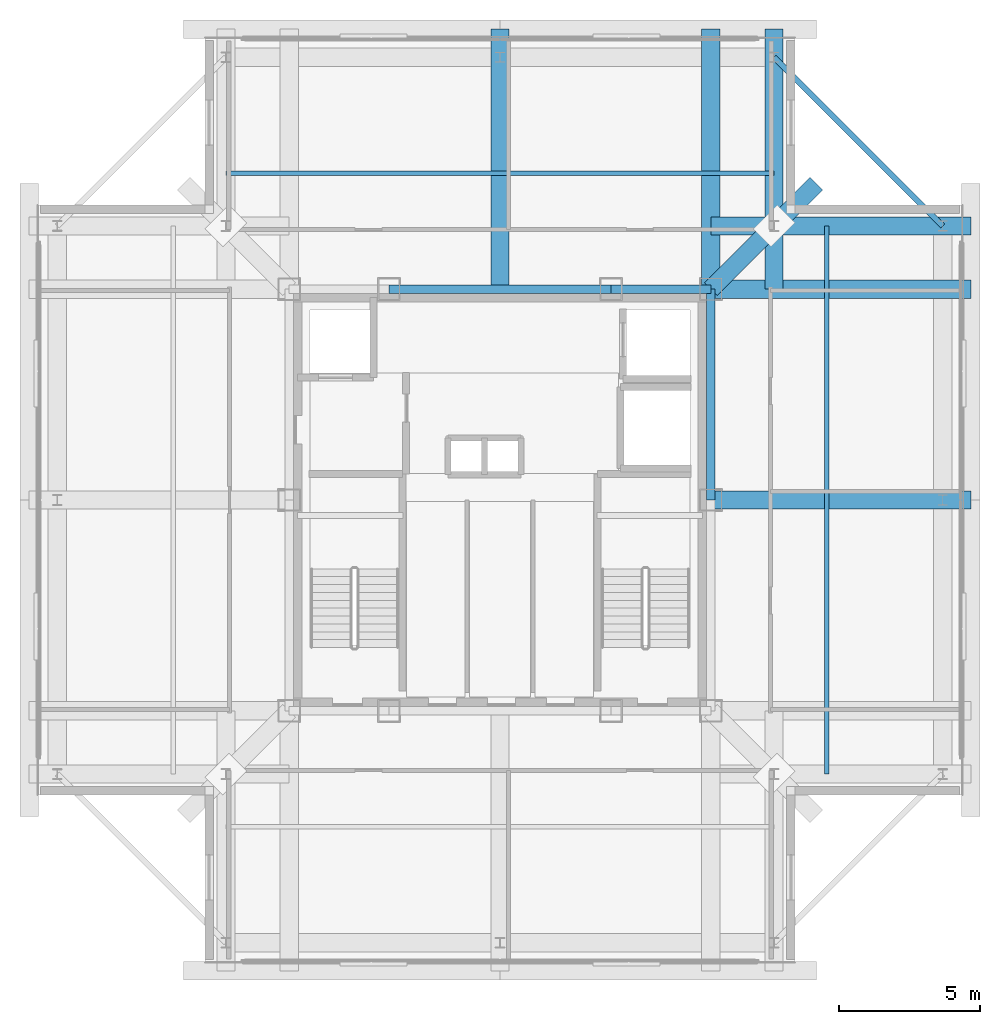
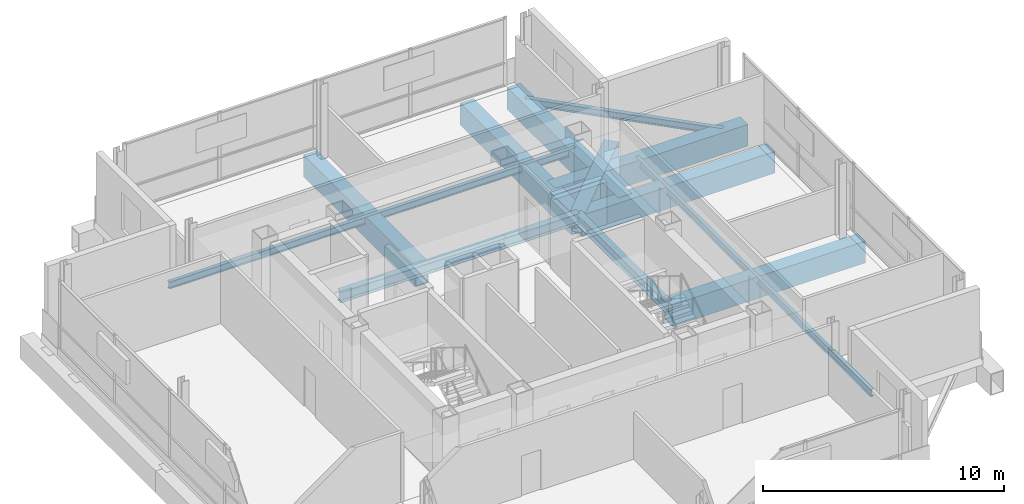
# One storey, part 5 of 12: 13 beams.
"""IFC4 building model written with IfcOpenShell, lengths in metres."""

from ifc_helpers import new_model, si_unit, direction, frame, origin, origin_2d, place, context, subcontext, project, spatial, hollow_rectangle, i_section, extrude, material, material_profile, profile_set, type_object, element, save


model = new_model("IFC4")

# Units and contexts
model_context = context("Model", 3, precision=1e-05, world=origin(), true_north=direction((0.0, 1.0)))
body_context = subcontext(model_context, "Body", "Model", "MODEL_VIEW")
ifc_project = project(units=[si_unit("LENGTHUNIT", "METRE"), si_unit("AREAUNIT", "SQUARE_METRE"), si_unit("VOLUMEUNIT", "CUBIC_METRE"), si_unit("PLANEANGLEUNIT", "RADIAN"), si_unit("MASSUNIT", "GRAM", prefix="KILO")], contexts=[model_context])

# Site, building, storey
site_placement = place(None, origin())
site = spatial("IfcSite", under=ifc_project, at=site_placement, CompositionType="ELEMENT")
building_placement = place(site_placement, origin())
building = spatial("IfcBuilding", under=site, at=building_placement, Name="Trevonay Congress Spire", CompositionType="ELEMENT")
storey_placement = place(building_placement, frame((0.0, 0.0, 308.39990234375)))
storey = spatial("IfcBuildingStorey", under=building, at=storey_placement, Name="L81", CompositionType="ELEMENT", Elevation=308.39990234375)

# Beams
ifc_material = material(Name="Steel ASTM A572 Grade 50", Category="steel")
ifc_material_profile_1 = material_profile(ifc_material, i_section(OverallWidth=0.31201171875, OverallDepth=0.54296875, WebThickness=0.0126953125, FlangeThickness=0.020263671875, FilletRadius=0.014892578125, at=origin_2d()), Name="W530x150")
ifc_profile_set_1 = profile_set([ifc_material_profile_1], Name="Steel ASTM A572 Grade 50")
beam_type_1 = type_object("IfcBeamType", Name="BM-GIRD-W530X150", PredefinedType="BEAM", material=ifc_profile_set_1)
beam_1_placement = place(storey_placement, frame((-3.949951171875, 7.5, -0.67138671875), z_axis=(1.0, 0.0, 0.0), x_axis=(0.0, 1.0, 0.0)))
element("IfcBeam", 1, at=beam_1_placement, inside=storey, type_object=beam_type_1, Name="L81 structural beam BM-L81-CR-N2", PredefinedType="BEAM", context=body_context, shape_type="SweptSolid", body=[
    extrude(i_section(OverallWidth=0.31201171875, OverallDepth=0.54296875, WebThickness=0.0126953125, FlangeThickness=0.020263671875, FilletRadius=0.014892578125, at=origin_2d()), origin(), (0.0, 0.0, 1.0), 7.89990234375),
])
beam_2_placement = place(storey_placement, frame((3.949951171875, 7.5, -0.67138671875), z_axis=(1.0, 0.0, 0.0), x_axis=(0.0, 1.0, 0.0)))
element("IfcBeam", 2, at=beam_2_placement, inside=storey, type_object=beam_type_1, Name="L81 structural beam BM-L81-CR-N3", PredefinedType="BEAM", context=body_context, shape_type="SweptSolid", body=[
    extrude(i_section(OverallWidth=0.31201171875, OverallDepth=0.54296875, WebThickness=0.0126953125, FlangeThickness=0.020263671875, FilletRadius=0.014892578125, at=origin_2d()), origin(), (0.0, 0.0, 1.0), 3.550048828125),
])
beam_3_placement = place(storey_placement, frame((7.5, 0.0, -0.67138671875), z_axis=(0.0, 1.0, 0.0), x_axis=(-1.0, 0.0, 0.0)))
element("IfcBeam", 3, at=beam_3_placement, inside=storey, type_object=beam_type_1, Name="L81 structural beam BM-L81-CR-E2", PredefinedType="BEAM", context=body_context, shape_type="SweptSolid", body=[
    extrude(i_section(OverallWidth=0.31201171875, OverallDepth=0.54296875, WebThickness=0.0126953125, FlangeThickness=0.020263671875, FilletRadius=0.014892578125, at=origin_2d()), origin(), (0.0, 0.0, 1.0), 7.5),
])
ifc_material_profile_2 = material_profile(ifc_material, hollow_rectangle(XDim=0.64990234375, YDim=1.10009765625, WallThickness=0.044921875, at=origin_2d()), Name="BOX 1100x650x45")
ifc_profile_set_2 = profile_set([ifc_material_profile_2], Name="Steel ASTM A572 Grade 50")
beam_type_2 = type_object("IfcBeamType", Name="BM-XFER-BOX1100", PredefinedType="BEAM", material=ifc_profile_set_2)
beam_4_placement = place(storey_placement, frame((7.5, 7.5, -0.949951171875), z_axis=(0.707106781187, 0.707106781187, 0.0), x_axis=(-0.707106781187, 0.707106781187, 0.0)))
element("IfcBeam", 4, at=beam_4_placement, inside=storey, type_object=beam_type_2, Name="L81 structural beam BM-L81-CDNE", PredefinedType="BEAM", context=body_context, shape_type="SweptSolid", body=[
    extrude(hollow_rectangle(XDim=0.64990234375, YDim=1.10009765625, WallThickness=0.044921875, at=origin_2d()), origin(), (0.0, 0.0, 1.0), 5.30322265625),
])
for number, where, z_axis, x_axis, name in (
    (5, (7.5, 7.5, -0.949951171875), (1.0, 0.0, 0.0), (0.0, 1.0, 0.0), "L81 structural beam XSPN-L81-CX-NE"),
    (6, (7.5, 7.5, -0.949951171875), (0.0, 1.0, 0.0), (-1.0, 0.0, 0.0), "L81 structural beam XSPN-L81-CY-NE"),
    (7, (0.0, 7.5, -0.949951171875), (0.0, 1.0, 0.0), (-1.0, 0.0, 0.0), "L81 structural beam XFER-L81-N1"),
    (8, (7.5, 0.0, -0.949951171875), (1.0, 0.0, 0.0), (0.0, 1.0, 0.0), "L81 structural beam XFER-L81-E1"),
    (9, (9.75, 7.5, -0.949951171875), (0.0, 1.0, 0.0), (-1.0, 0.0, 0.0), "L81 structural beam XFER-L81-N2"),
    (10, (7.5, 9.75, -0.949951171875), (1.0, 0.0, 0.0), (0.0, 1.0, 0.0), "L81 structural beam XFER-L81-E2"),
):
    element("IfcBeam", number, at=place(storey_placement, frame(where, z_axis=z_axis, x_axis=x_axis)), inside=storey, type_object=beam_type_2, Name=name, PredefinedType="BEAM", context=body_context, shape_type="SweptSolid", body=[
        extrude(hollow_rectangle(XDim=0.64990234375, YDim=1.10009765625, WallThickness=0.044921875, at=origin_2d()), origin(), (0.0, 0.0, 1.0), 9.25),
    ])
ifc_material_profile_3 = material_profile(ifc_material, i_section(OverallWidth=0.172119140625, OverallDepth=0.35791015625, WebThickness=0.0078125, FlangeThickness=0.01318359375, FilletRadius=0.011962890625, at=origin_2d()), Name="W360x57.8")
ifc_profile_set_3 = profile_set([ifc_material_profile_3], Name="Steel ASTM A572 Grade 50")
beam_type_3 = type_object("IfcBeamType", Name="JS-COMP-W360X57", PredefinedType="JOIST", material=ifc_profile_set_3)
for number, where, z_axis, x_axis, name in (
    (11, (-9.75, 11.625, -0.578857421875), (1.0, 0.0, 0.0), (0.0, 1.0, 0.0), "L81 structural beam JS-L81-RING-N"),
    (12, (11.625, -9.75, -0.578857421875), (0.0, 1.0, 0.0), (-1.0, 0.0, 0.0), "L81 structural beam JS-L81-RING-E"),
):
    element("IfcBeam", number, at=place(storey_placement, frame(where, z_axis=z_axis, x_axis=x_axis)), inside=storey, type_object=beam_type_3, Name=name, PredefinedType="JOIST", context=body_context, shape_type="SweptSolid", body=[
        extrude(i_section(OverallWidth=0.172119140625, OverallDepth=0.35791015625, WebThickness=0.0078125, FlangeThickness=0.01318359375, FilletRadius=0.011962890625, at=origin_2d()), origin(), (0.0, 0.0, 1.0), 19.5),
    ])
ifc_material_profile_4 = material_profile(ifc_material, i_section(OverallWidth=0.205078125, OverallDepth=0.35400390625, WebThickness=0.009521484375, FlangeThickness=0.016845703125, FilletRadius=0.011962890625, at=origin_2d()), Name="W360x79")
ifc_profile_set_4 = profile_set([ifc_material_profile_4], Name="Steel ASTM A572 Grade 50")
beam_type_4 = type_object("IfcBeamType", Name="SPB-HSS350", PredefinedType="SPANDREL", material=ifc_profile_set_4)
beam_5_placement = place(storey_placement, frame((9.75, 15.75, -0.576904296875), z_axis=(0.707106781187, -0.707106781187, 0.0), x_axis=(0.707106781187, 0.707106781187, 0.0)))
element("IfcBeam", 13, at=beam_5_placement, inside=storey, type_object=beam_type_4, Name="L81 structural beam SPB-L81-NE", PredefinedType="SPANDREL", context=body_context, shape_type="SweptSolid", body=[
    extrude(i_section(OverallWidth=0.205078125, OverallDepth=0.35400390625, WebThickness=0.009521484375, FlangeThickness=0.016845703125, FilletRadius=0.011962890625, at=origin_2d()), origin(), (0.0, 0.0, 1.0), 8.4853515625),
])

save(model, "model.ifc")
